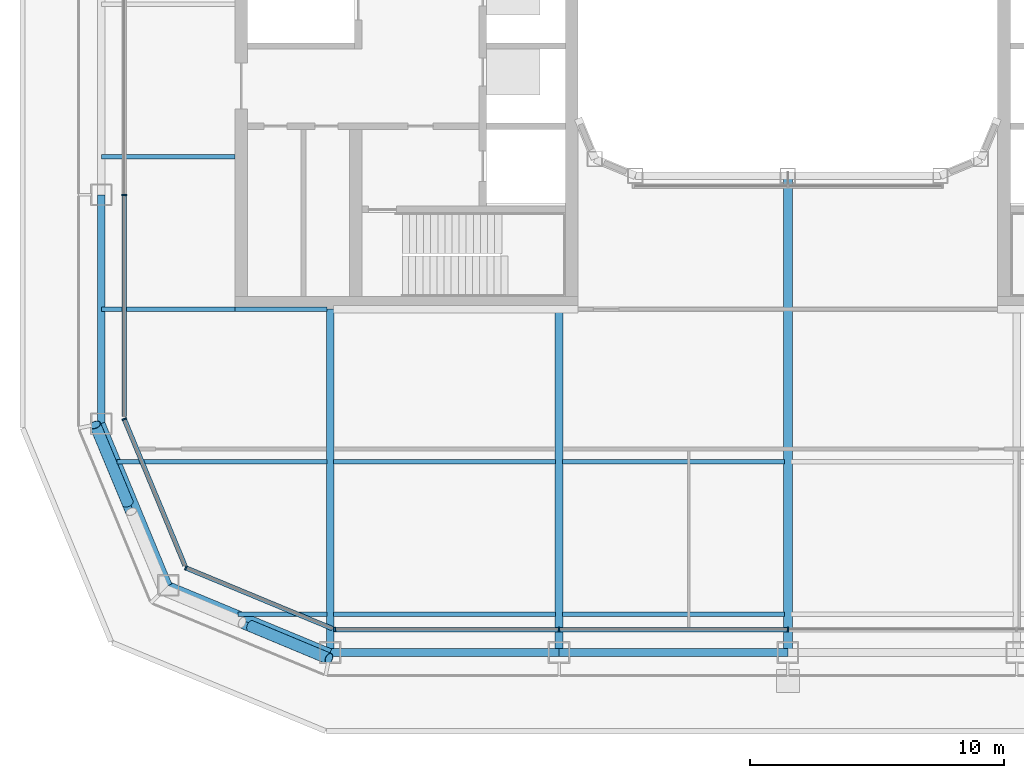
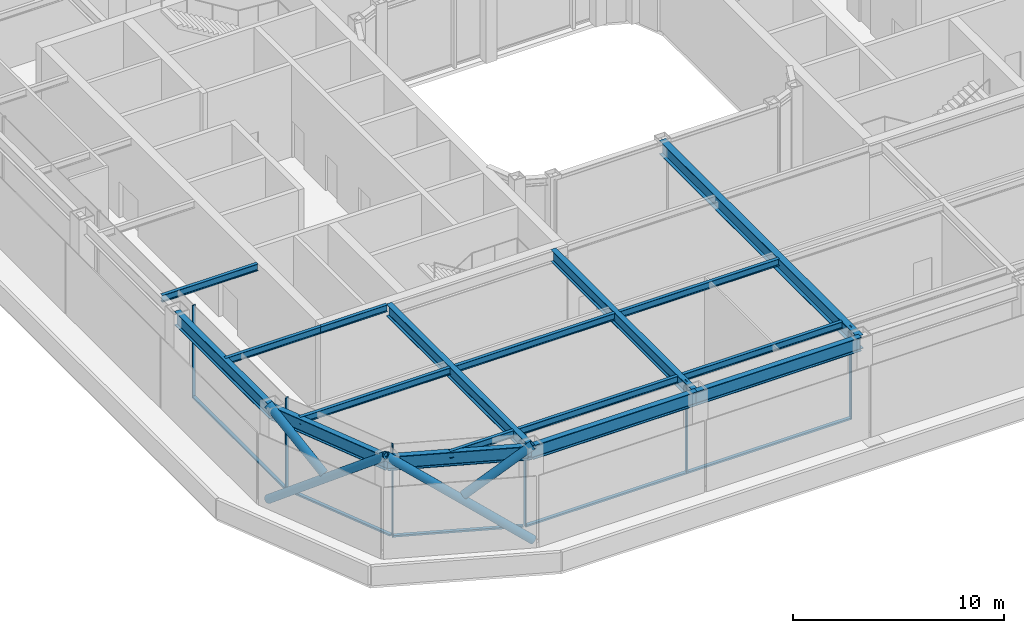
# One storey, part 2 of 19: 17 beams, 15 members, 4 elements without a shape of their own.
"""IFC4 building model written with IfcOpenShell, lengths in metres."""

from ifc_helpers import new_model, si_unit, direction, frame, origin, origin_2d, place, context, subcontext, project, spatial, rectangle, hollow_circle, i_section, extrude, material, layer, layer_set, material_profile, profile_set, type_object, element, aggregate, save


model = new_model("IFC4")

# Units and contexts
model_context = context("Model", 3, precision=1e-05, world=origin(), true_north=direction((0.0, 1.0)))
body_context = subcontext(model_context, "Body", "Model", "MODEL_VIEW")
ifc_project = project(units=[si_unit("LENGTHUNIT", "METRE"), si_unit("AREAUNIT", "SQUARE_METRE"), si_unit("VOLUMEUNIT", "CUBIC_METRE"), si_unit("PLANEANGLEUNIT", "RADIAN"), si_unit("MASSUNIT", "GRAM", prefix="KILO")], contexts=[model_context])

# Site, building, storey
site_placement = place(None, origin())
site = spatial("IfcSite", under=ifc_project, at=site_placement, CompositionType="ELEMENT")
building_placement = place(site_placement, origin())
building = spatial("IfcBuilding", under=site, at=building_placement, Name="Siwar Civic Tower", CompositionType="ELEMENT")
storey_placement = place(building_placement, frame((0.0, 0.0, 187.199951171875)))
storey = spatial("IfcBuildingStorey", under=building, at=storey_placement, Name="L40", CompositionType="ELEMENT", Elevation=187.199951171875)

# Curtain wall, members
ifc_material_1 = material(Name="Aluminium and glass", Category="aluminium")
ifc_layer_1 = layer(ifc_material_1, 0.179931640625)
ifc_layer_set_1 = layer_set([ifc_layer_1], Name="Aluminium and glass")
curtain_wall_type_1 = type_object("IfcCurtainWallType", Name="ENV-CW-C", PredefinedType="NOTDEFINED", material=ifc_layer_set_1)
curtain_wall_1_placement = place(storey_placement, origin())
curtain_wall_1 = element("IfcCurtainWall", 1, at=curtain_wall_1_placement, inside=storey, type_object=curtain_wall_type_1, Name="Curtain wall C S", PredefinedType="NOTDEFINED")
ifc_material_2 = material(Name="Aluminium 6063-T6", Category="aluminium")
ifc_material_profile_1 = material_profile(ifc_material_2, rectangle(XDim=0.179931640625, YDim=0.06005859375, at=origin_2d()), Name="AL 180x60")
ifc_profile_set_1 = profile_set([ifc_material_profile_1], Name="Aluminium 6063-T6")
member_type_1 = type_object("IfcMemberType", Name="ENV-MULLION-C", PredefinedType="MULLION", material=ifc_profile_set_1)
member_1_placement = place(storey_placement, frame((-17.821044921875, -26.10009765625, 0.0), z_axis=(0.0, 0.0, 1.0), x_axis=(0.0, 1.0, 0.0)))
member_1 = element("IfcMember", 2, at=member_1_placement, type_object=member_type_1, Name="Mullion C S 1", PredefinedType="MULLION", context=body_context, shape_type="SweptSolid", body=[
    extrude(rectangle(XDim=0.179931640625, YDim=0.06005859375, at=origin_2d()), origin(), (0.0, 0.0, 1.0), 5.35009765625),
])
member_2_placement = place(storey_placement, frame((-9.0, -26.10009765625, 0.0), z_axis=(0.0, 0.0, 1.0), x_axis=(0.0, 1.0, 0.0)))
member_2 = element("IfcMember", 3, at=member_2_placement, type_object=member_type_1, Name="Mullion C S 2", PredefinedType="MULLION", context=body_context, shape_type="SweptSolid", body=[
    extrude(rectangle(XDim=0.179931640625, YDim=0.06005859375, at=origin_2d()), origin(), (0.0, 0.0, 1.0), 5.35009765625),
])
member_3_placement = place(storey_placement, frame((0.0, -26.10009765625, 0.0), z_axis=(0.0, 0.0, 1.0), x_axis=(0.0, 1.0, 0.0)))
member_3 = element("IfcMember", 4, at=member_3_placement, type_object=member_type_1, Name="Mullion C S 3", PredefinedType="MULLION", context=body_context, shape_type="SweptSolid", body=[
    extrude(rectangle(XDim=0.179931640625, YDim=0.06005859375, at=origin_2d()), origin(), (0.0, 0.0, 1.0), 5.35009765625),
])

# Curtain wall, member
curtain_wall_2_placement = place(storey_placement, origin())
curtain_wall_2 = element("IfcCurtainWall", 5, at=curtain_wall_2_placement, inside=storey, type_object=curtain_wall_type_1, Name="Curtain wall C W", PredefinedType="NOTDEFINED")
member_4_placement = place(storey_placement, frame((-26.10009765625, -9.0, 0.0), z_axis=(0.0, 0.0, 1.0), x_axis=(1.0, 0.0, 0.0)))
member_4 = element("IfcMember", 6, at=member_4_placement, type_object=member_type_1, Name="Mullion C W 4", PredefinedType="MULLION", context=body_context, shape_type="SweptSolid", body=[
    extrude(rectangle(XDim=0.179931640625, YDim=0.06005859375, at=origin_2d()), origin(), (0.0, 0.0, 1.0), 5.35009765625),
])

ifc_material_3 = material(Name="Aluminium clad insulated panel", Category="aluminium")
ifc_layer_2 = layer(ifc_material_3, 0.179931640625)
ifc_layer_set_2 = layer_set([ifc_layer_2], Name="Aluminium clad insulated panel")
curtain_wall_type_2 = type_object("IfcCurtainWallType", Name="ENV-CW-CX", PredefinedType="NOTDEFINED", material=ifc_layer_set_2)
curtain_wall_3_placement = place(storey_placement, origin())
curtain_wall_3 = element("IfcCurtainWall", 7, at=curtain_wall_3_placement, inside=storey, type_object=curtain_wall_type_2, Name="Curtain wall C SW1", PredefinedType="NOTDEFINED")
member_5_placement = place(storey_placement, frame((-26.10009765625, -17.821044921875, 0.0), z_axis=(0.0, 0.0, 1.0), x_axis=(0.923879532511, 0.382683432365, 0.0)))
member_5 = element("IfcMember", 8, at=member_5_placement, type_object=member_type_1, Name="Mullion C SW1 1", PredefinedType="MULLION", context=body_context, shape_type="SweptSolid", body=[
    extrude(rectangle(XDim=0.179931640625, YDim=0.06005859375, at=origin_2d()), origin(), (0.0, 0.0, 1.0), 5.35009765625),
])

curtain_wall_4_placement = place(storey_placement, origin())
curtain_wall_4 = element("IfcCurtainWall", 9, at=curtain_wall_4_placement, inside=storey, type_object=curtain_wall_type_2, Name="Curtain wall C SW2", PredefinedType="NOTDEFINED")
member_6_placement = place(storey_placement, frame((-23.675048828125, -23.675048828125, 0.0), z_axis=(0.0, 0.0, 1.0), x_axis=(0.382683432365, 0.923879532511, 0.0)))
member_6 = element("IfcMember", 10, at=member_6_placement, type_object=member_type_1, Name="Mullion C SW2 1", PredefinedType="MULLION", context=body_context, shape_type="SweptSolid", body=[
    extrude(rectangle(XDim=0.179931640625, YDim=0.06005859375, at=origin_2d()), origin(), (0.0, 0.0, 1.0), 5.35009765625),
])

# Member
ifc_material_4 = material(Name="Aluminium 6063-T6", Category="aluminium")
ifc_material_profile_2 = material_profile(ifc_material_4, rectangle(XDim=0.179931640625, YDim=0.10009765625, at=origin_2d()), Name="AL 180x100")
ifc_profile_set_2 = profile_set([ifc_material_profile_2], Name="Aluminium 6063-T6")
member_type_2 = type_object("IfcMemberType", Name="ENV-TRANSOM-C", PredefinedType="USERDEFINED", material=ifc_profile_set_2)
member_7_placement = place(storey_placement, frame((-17.791015625, -26.10009765625, 0.050048828125), z_axis=(1.0, 0.0, 0.0), x_axis=(0.0, 1.0, 0.0)))
member_7 = element("IfcMember", 11, at=member_7_placement, type_object=member_type_2, Name="Transom C S 1", ObjectType="TRANSOM", PredefinedType="USERDEFINED", context=body_context, shape_type="SweptSolid", body=[
    extrude(rectangle(XDim=0.179931640625, YDim=0.10009765625, at=origin_2d()), origin(), (0.0, 0.0, 1.0), 8.760986328125),
])

member_8_placement = place(storey_placement, frame((-8.969970703125, -26.10009765625, 0.050048828125), z_axis=(1.0, 0.0, 0.0), x_axis=(0.0, 1.0, 0.0)))
member_8 = element("IfcMember", 12, at=member_8_placement, type_object=member_type_2, Name="Transom C S 2", ObjectType="TRANSOM", PredefinedType="USERDEFINED", context=body_context, shape_type="SweptSolid", body=[
    extrude(rectangle(XDim=0.179931640625, YDim=0.10009765625, at=origin_2d()), origin(), (0.0, 0.0, 1.0), 8.93994140625),
])

aggregate(curtain_wall_1, [member_1, member_2, member_3, member_7, member_8])

member_9_placement = place(storey_placement, frame((-26.10009765625, -9.030029296875, 0.050048828125), z_axis=(0.0, -1.0, 0.0), x_axis=(1.0, 0.0, 0.0)))
member_9 = element("IfcMember", 13, at=member_9_placement, type_object=member_type_2, Name="Transom C W 4", ObjectType="TRANSOM", PredefinedType="USERDEFINED", context=body_context, shape_type="SweptSolid", body=[
    extrude(rectangle(XDim=0.179931640625, YDim=0.10009765625, at=origin_2d()), origin(), (0.0, 0.0, 1.0), 8.68603515625),
])

aggregate(curtain_wall_2, [member_4, member_9])

member_10_placement = place(storey_placement, frame((-26.088623046875, -17.8486328125, 0.050048828125), z_axis=(0.38267744817, -0.923882011223, 0.0), x_axis=(0.923882011223, 0.38267744817, 0.0)))
member_10 = element("IfcMember", 14, at=member_10_placement, type_object=member_type_2, Name="Transom C SW1 1", ObjectType="TRANSOM", PredefinedType="USERDEFINED", context=body_context, shape_type="SweptSolid", body=[
    extrude(rectangle(XDim=0.179931640625, YDim=0.10009765625, at=origin_2d()), origin(), (0.0, 0.0, 1.0), 6.201904296875),
])

aggregate(curtain_wall_3, [member_5, member_10])

member_11_placement = place(storey_placement, frame((-23.6474609375, -23.6865234375, 0.050048828125), z_axis=(0.923876246063, -0.382691366456, 0.0), x_axis=(0.382691366456, 0.923876246063, 0.0)))
member_11 = element("IfcMember", 15, at=member_11_placement, type_object=member_type_2, Name="Transom C SW2 1", ObjectType="TRANSOM", PredefinedType="USERDEFINED", context=body_context, shape_type="SweptSolid", body=[
    extrude(rectangle(XDim=0.179931640625, YDim=0.10009765625, at=origin_2d()), origin(), (0.0, 0.0, 1.0), 6.20166015625),
])

aggregate(curtain_wall_4, [member_6, member_11])

# Members
ifc_material_5 = material(Name="Steel S355", Category="steel")
ifc_material_profile_3 = material_profile(ifc_material_5, hollow_circle(Radius=0.228515625, WallThickness=0.02001953125, at=origin_2d()), Name="CHS457x20")
ifc_profile_set_3 = profile_set([ifc_material_profile_3], Name="Steel S355")
member_type_3 = type_object("IfcMemberType", Name="STR-BR-CHS457x20", PredefinedType="BRACE", material=ifc_profile_set_3)
member_12_placement = place(storey_placement, frame((-18.048828125, -27.2451171875, 0.0), z_axis=(-0.727145879939, 0.302906807269, 0.616040855299), x_axis=(-0.384538969033, -0.923108759191, 0.0)))
element("IfcMember", 16, at=member_12_placement, inside=storey, type_object=member_type_3, Name="L40/brc/CSW1-0-0-1", PredefinedType="BRACE", context=body_context, shape_type="SweptSolid", body=[
    extrude(hollow_circle(Radius=0.228515625, WallThickness=0.02001953125, at=origin_2d()), origin(), (0.0, 0.0, 1.0), 8.927978515625),
])
member_13_placement = place(storey_placement, frame((-21.127197265625, -25.962890625, 2.89208984375), z_axis=(0.727162739796, -0.302883552178, 0.616032388493), x_axis=(0.384506214648, 0.923122402988, 0.0)))
element("IfcMember", 17, at=member_13_placement, inside=storey, type_object=member_type_3, Name="L40/brc/CSW1-0-0-3", PredefinedType="BRACE", context=body_context, shape_type="SweptSolid", body=[
    extrude(hollow_circle(Radius=0.228515625, WallThickness=0.02001953125, at=origin_2d()), origin(), (0.0, 0.0, 1.0), 4.2333984375),
])
member_14_placement = place(storey_placement, frame((-27.2451171875, -18.048828125, 0.0), z_axis=(0.302906807269, -0.727145879939, 0.616040855299), x_axis=(0.923108759191, 0.384538969033, 0.0)))
element("IfcMember", 18, at=member_14_placement, inside=storey, type_object=member_type_3, Name="L40/brc/CSW1-0-0-0", PredefinedType="BRACE", context=body_context, shape_type="SweptSolid", body=[
    extrude(hollow_circle(Radius=0.228515625, WallThickness=0.02001953125, at=origin_2d()), origin(), (0.0, 0.0, 1.0), 8.927978515625),
])
member_15_placement = place(storey_placement, frame((-25.962890625, -21.127197265625, 2.89208984375), z_axis=(-0.302883552178, 0.727162739796, 0.616032388493), x_axis=(-0.923122402988, -0.384506214648, 0.0)))
element("IfcMember", 19, at=member_15_placement, inside=storey, type_object=member_type_3, Name="L40/brc/CSW1-0-0-5", PredefinedType="BRACE", context=body_context, shape_type="SweptSolid", body=[
    extrude(hollow_circle(Radius=0.228515625, WallThickness=0.02001953125, at=origin_2d()), origin(), (0.0, 0.0, 1.0), 4.2333984375),
])

# Beams
ifc_material_6 = material(Name="Steel S355", Category="steel")
ifc_material_profile_4 = material_profile(ifc_material_6, i_section(OverallWidth=0.179931640625, OverallDepth=0.39990234375, WebThickness=0.008544921875, FlangeThickness=0.013427734375, FilletRadius=0.02099609375, at=origin_2d()), Name="IPE400")
ifc_profile_set_4 = profile_set([ifc_material_profile_4], Name="Steel S355")
beam_type_1 = type_object("IfcBeamType", Name="STR-FB-IPE400", PredefinedType="JOIST", material=ifc_profile_set_4)
beam_1_placement = place(storey_placement, frame((-21.621337890625, -25.5, 5.150146484375), z_axis=(1.0, 0.0, 0.0), x_axis=(0.0, 1.0, 0.0)))
element("IfcBeam", 20, at=beam_1_placement, inside=storey, type_object=beam_type_1, Name="L40/bm/F001", PredefinedType="JOIST", context=body_context, shape_type="SweptSolid", body=[
    extrude(i_section(OverallWidth=0.179931640625, OverallDepth=0.39990234375, WebThickness=0.008544921875, FlangeThickness=0.013427734375, FilletRadius=0.02099609375, at=origin_2d()), origin(), (0.0, 0.0, 1.0), 3.491455078125),
])
for number, where, z_axis, x_axis, name in (
    (21, (-17.8701171875, -25.5, 5.150146484375), (1.0, 0.0, 0.0), (0.0, 1.0, 0.0), "L40/bm/F002"),
    (22, (-8.8701171875, -25.5, 5.150146484375), (1.0, 0.0, 0.0), (0.0, 1.0, 0.0), "L40/bm/F003"),
):
    element("IfcBeam", number, at=place(storey_placement, frame(where, z_axis=z_axis, x_axis=x_axis)), inside=storey, type_object=beam_type_1, Name=name, PredefinedType="JOIST", context=body_context, shape_type="SweptSolid", body=[
        extrude(i_section(OverallWidth=0.179931640625, OverallDepth=0.39990234375, WebThickness=0.008544921875, FlangeThickness=0.013427734375, FilletRadius=0.02099609375, at=origin_2d()), origin(), (0.0, 0.0, 1.0), 8.740234375),
    ])
beam_2_placement = place(storey_placement, frame((-26.378662109375, -19.5, 5.150146484375), z_axis=(1.0, 0.0, 0.0), x_axis=(0.0, 1.0, 0.0)))
element("IfcBeam", 23, at=beam_2_placement, inside=storey, type_object=beam_type_1, Name="L40/bm/F007", PredefinedType="JOIST", context=body_context, shape_type="SweptSolid", body=[
    extrude(i_section(OverallWidth=0.179931640625, OverallDepth=0.39990234375, WebThickness=0.008544921875, FlangeThickness=0.013427734375, FilletRadius=0.02099609375, at=origin_2d()), origin(), (0.0, 0.0, 1.0), 8.248779296875),
])
for number, where, z_axis, x_axis, name in (
    (24, (-17.8701171875, -19.5, 5.150146484375), (1.0, 0.0, 0.0), (0.0, 1.0, 0.0), "L40/bm/F008"),
    (25, (-8.8701171875, -19.5, 5.150146484375), (1.0, 0.0, 0.0), (0.0, 1.0, 0.0), "L40/bm/F009"),
):
    element("IfcBeam", number, at=place(storey_placement, frame(where, z_axis=z_axis, x_axis=x_axis)), inside=storey, type_object=beam_type_1, Name=name, PredefinedType="JOIST", context=body_context, shape_type="SweptSolid", body=[
        extrude(i_section(OverallWidth=0.179931640625, OverallDepth=0.39990234375, WebThickness=0.008544921875, FlangeThickness=0.013427734375, FilletRadius=0.02099609375, at=origin_2d()), origin(), (0.0, 0.0, 1.0), 8.740234375),
    ])
beam_3_placement = place(storey_placement, frame((-27.0, -13.5, 5.150146484375), z_axis=(1.0, 0.0, 0.0), x_axis=(0.0, 1.0, 0.0)))
element("IfcBeam", 26, at=beam_3_placement, inside=storey, type_object=beam_type_1, Name="L40/bm/F013", PredefinedType="JOIST", context=body_context, shape_type="SweptSolid", body=[
    extrude(i_section(OverallWidth=0.179931640625, OverallDepth=0.39990234375, WebThickness=0.008544921875, FlangeThickness=0.013427734375, FilletRadius=0.02099609375, at=origin_2d()), origin(), (0.0, 0.0, 1.0), 5.25),
])
beam_4_placement = place(storey_placement, frame((-21.75, -13.5, 5.150146484375), z_axis=(1.0, 0.0, 0.0), x_axis=(0.0, 1.0, 0.0)))
element("IfcBeam", 27, at=beam_4_placement, inside=storey, type_object=beam_type_1, Name="L40/bm/F014", PredefinedType="JOIST", context=body_context, shape_type="SweptSolid", body=[
    extrude(i_section(OverallWidth=0.179931640625, OverallDepth=0.39990234375, WebThickness=0.008544921875, FlangeThickness=0.013427734375, FilletRadius=0.02099609375, at=origin_2d()), origin(), (0.0, 0.0, 1.0), 3.6201171875),
])
beam_5_placement = place(storey_placement, frame((-27.0, -7.5, 5.150146484375), z_axis=(1.0, 0.0, 0.0), x_axis=(0.0, 1.0, 0.0)))
element("IfcBeam", 28, at=beam_5_placement, inside=storey, type_object=beam_type_1, Name="L40/bm/F021", PredefinedType="JOIST", context=body_context, shape_type="SweptSolid", body=[
    extrude(i_section(OverallWidth=0.179931640625, OverallDepth=0.39990234375, WebThickness=0.008544921875, FlangeThickness=0.013427734375, FilletRadius=0.02099609375, at=origin_2d()), origin(), (0.0, 0.0, 1.0), 5.25),
])
ifc_material_7 = material(Name="Steel S355", Category="steel")
ifc_material_profile_5 = material_profile(ifc_material_7, i_section(OverallWidth=0.300048828125, OverallDepth=0.699951171875, WebThickness=0.01708984375, FlangeThickness=0.031982421875, FilletRadius=0.027099609375, at=origin_2d()), Name="HEB700")
ifc_profile_set_5 = profile_set([ifc_material_profile_5], Name="Steel S355")
beam_type_2 = type_object("IfcBeamType", Name="STR-PG-HEB700", PredefinedType="BEAM", material=ifc_profile_set_5)
for number, where, z_axis, x_axis, name in (
    (29, (-18.0, -27.0, 5.0), (0.0, 1.0, 0.0), (-1.0, 0.0, 0.0), "L40/bm/G01"),
    (30, (-9.0, -27.0, 5.0), (0.0, 1.0, 0.0), (-1.0, 0.0, 0.0), "L40/bm/G03"),
):
    element("IfcBeam", number, at=place(storey_placement, frame(where, z_axis=z_axis, x_axis=x_axis)), inside=storey, type_object=beam_type_2, Name=name, PredefinedType="BEAM", context=body_context, shape_type="SweptSolid", body=[
        extrude(i_section(OverallWidth=0.300048828125, OverallDepth=0.699951171875, WebThickness=0.01708984375, FlangeThickness=0.031982421875, FilletRadius=0.027099609375, at=origin_2d()), origin(), (0.0, 0.0, 1.0), 13.5),
    ])
ifc_material_8 = material(Name="Steel S355", Category="steel")
ifc_material_profile_6 = material_profile(ifc_material_8, i_section(OverallWidth=0.360107421875, OverallDepth=0.800048828125, WebThickness=0.013916015625, FlangeThickness=0.031982421875, at=origin_2d()), Name="PG800x360x14x32")
ifc_profile_set_6 = profile_set([ifc_material_profile_6], Name="Steel S355")
beam_type_3 = type_object("IfcBeamType", Name="STR-PG-PG800x360x14x32", PredefinedType="BEAM", material=ifc_profile_set_6)
beam_6_placement = place(storey_placement, frame((0.0, -27.0, 4.949951171875), z_axis=(0.0, 1.0, 0.0), x_axis=(-1.0, 0.0, 0.0)))
element("IfcBeam", 31, at=beam_6_placement, inside=storey, type_object=beam_type_3, Name="L40/bm/G05", PredefinedType="BEAM", context=body_context, shape_type="SweptSolid", body=[
    extrude(i_section(OverallWidth=0.360107421875, OverallDepth=0.800048828125, WebThickness=0.013916015625, FlangeThickness=0.031982421875, at=origin_2d()), origin(), (0.0, 0.0, 1.0), 18.75),
])
ifc_material_9 = material(Name="Steel S355", Category="steel")
ifc_material_profile_7 = material_profile(ifc_material_9, i_section(OverallWidth=0.300048828125, OverallDepth=0.800048828125, WebThickness=0.017578125, FlangeThickness=0.032958984375, FilletRadius=0.030029296875, at=origin_2d()), Name="HEB800")
ifc_profile_set_7 = profile_set([ifc_material_profile_7], Name="Steel S355")
beam_type_4 = type_object("IfcBeamType", Name="STR-SB-HEB800", PredefinedType="BEAM", material=ifc_profile_set_7)
for number, where, z_axis, x_axis, name in (
    (32, (-18.0, -27.0, 4.949951171875), (1.0, 0.0, 0.0), (0.0, 1.0, 0.0), "L40/bm/SS-0"),
    (33, (-9.0, -27.0, 4.949951171875), (1.0, 0.0, 0.0), (0.0, 1.0, 0.0), "L40/bm/SS-1"),
    (34, (-27.0, -9.0, 4.949951171875), (0.0, -1.0, 0.0), (1.0, 0.0, 0.0), "L40/bm/SW-3"),
):
    element("IfcBeam", number, at=place(storey_placement, frame(where, z_axis=z_axis, x_axis=x_axis)), inside=storey, type_object=beam_type_4, Name=name, PredefinedType="BEAM", context=body_context, shape_type="SweptSolid", body=[
        extrude(i_section(OverallWidth=0.300048828125, OverallDepth=0.800048828125, WebThickness=0.017578125, FlangeThickness=0.032958984375, FilletRadius=0.030029296875, at=origin_2d()), origin(), (0.0, 0.0, 1.0), 9.0),
    ])
for number, where, z_axis, x_axis, name in (
    (35, (-27.0, -18.0, 4.949951171875), (0.382674207535, -0.923883353507, 0.0), (0.923883353507, 0.382674207535, 0.0), "L40/bm/SSW1-0"),
    (36, (-24.364013671875, -24.364013671875, 4.949951171875), (0.923883353507, -0.382674207535, 0.0), (0.382674207535, 0.923883353507, 0.0), "L40/bm/SSW2-0"),
):
    element("IfcBeam", number, at=place(storey_placement, frame(where, z_axis=z_axis, x_axis=x_axis)), inside=storey, type_object=beam_type_4, Name=name, PredefinedType="BEAM", context=body_context, shape_type="SweptSolid", body=[
        extrude(i_section(OverallWidth=0.300048828125, OverallDepth=0.800048828125, WebThickness=0.017578125, FlangeThickness=0.032958984375, FilletRadius=0.030029296875, at=origin_2d()), origin(), (0.0, 0.0, 1.0), 6.888427734375),
    ])

save(model, "model.ifc")
